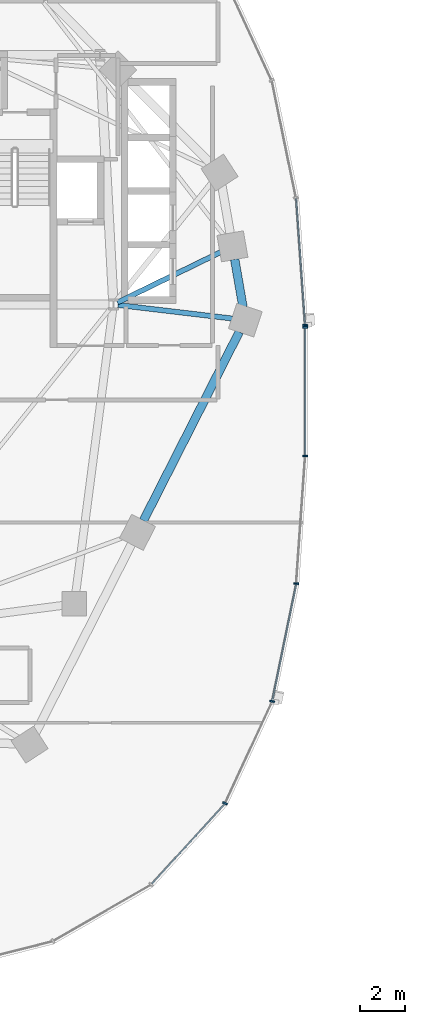
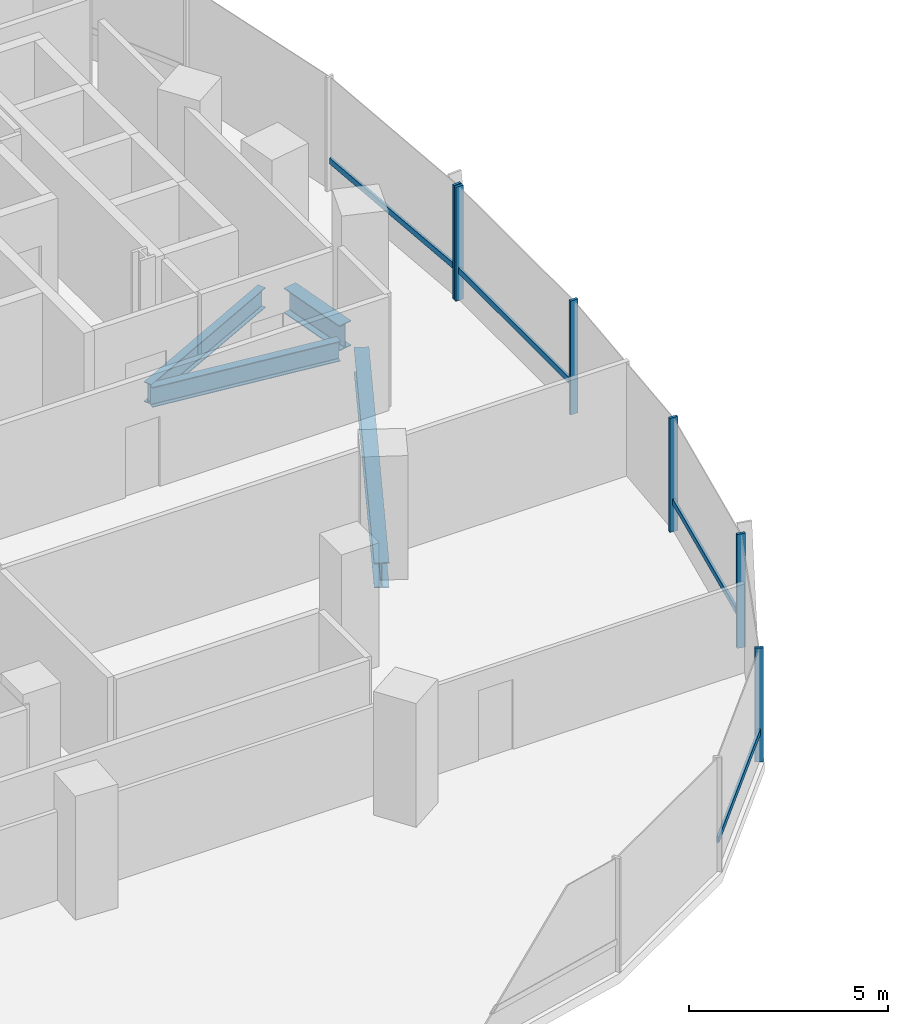
# One storey, part 3 of 21: 10 members, 4 beams, 2 elements without a shape of their own.
"""IFC4 building model written with IfcOpenShell, lengths in metres."""

import ifcopenshell
import ifcopenshell.guid

model = None  # the IFC model being written
_history = None  # IfcOwnerHistory: only IFC2X3 demands one
_inside = {}  # id of a spatial element -> (the spatial element, [elements in it])
_under = {}  # id of a project, library or spatial element -> (it, [spatial elements below it])
_declared = {}  # id of a project -> (the project, [libraries it declares])
_typed = {}  # id of a type object -> (the type object, [elements of that type])
_made_of = {}  # id of a material, layer set ... -> (it, [elements and type objects made of it])


def new_model(schema):
    """Start an empty IFC model of exactly this schema.

    Asked for "IFC4X3", IfcOpenShell would pick the latest addendum, in which some entities
    have other attributes; the version numbers below select the first issue.
    IFC2X3 requires an IfcOwnerHistory on every rooted entity: one is made here for all.
    """
    global model, _history
    if schema == "IFC4X3":
        model = ifcopenshell.file(schema_version=(4, 3, 0, 0))
    else:
        model = ifcopenshell.file(schema=schema)
    _inside.clear()
    _under.clear()
    _declared.clear()
    _typed.clear()
    _made_of.clear()
    _history = None
    if model.schema == "IFC2X3":
        org = make("IfcOrganization", Name="unknown")
        user = make(
            "IfcPersonAndOrganization",
            ThePerson=make("IfcPerson", FamilyName="unknown"),
            TheOrganization=org,
        )
        app = make(
            "IfcApplication",
            ApplicationDeveloper=org,
            Version="unknown",
            ApplicationFullName="unknown",
            ApplicationIdentifier="unknown",
        )
        _history = make(
            "IfcOwnerHistory",
            OwningUser=user,
            OwningApplication=app,
            ChangeAction="ADDED",
            CreationDate=0,
        )
    return model


def make(cls, **values):
    """One entity of the class cls with the attributes given. An attribute that is None is left unset."""
    return model.create_entity(
        cls, **{name: value for name, value in values.items() if value is not None}
    )


def rooted(cls, **values):
    """An entity with a GlobalId (a new one), such as an element, a storey or a relation."""
    return make(cls, GlobalId=ifcopenshell.guid.new(), OwnerHistory=_history, **values)


def si_unit(unit_type, name, prefix=None):
    """IfcSIUnit, for example si_unit("LENGTHUNIT", "METRE", prefix="MILLI")."""
    return make("IfcSIUnit", UnitType=unit_type, Prefix=prefix, Name=name)


def assignment(units):
    """IfcUnitAssignment: the units of a project."""
    return None if units is None else make("IfcUnitAssignment", Units=units)


def point(xyz):
    """IfcCartesianPoint."""
    return None if xyz is None else make("IfcCartesianPoint", Coordinates=xyz)


def direction(xyz):
    """IfcDirection."""
    return None if xyz is None else make("IfcDirection", DirectionRatios=xyz)


def frame(location, z_axis=None, x_axis=None):
    """IfcAxis2Placement3D, a coordinate frame: its origin and axes. An axis left out is left unset."""
    return make(
        "IfcAxis2Placement3D",
        Location=point(location),
        Axis=direction(z_axis),
        RefDirection=direction(x_axis),
    )


def frame_2d(location, x_axis=None):
    """IfcAxis2Placement2D, a coordinate frame in the plane: its origin and x axis."""
    return make(
        "IfcAxis2Placement2D", Location=point(location), RefDirection=direction(x_axis)
    )


def origin():
    """The frame at (0, 0, 0) with its axes left unset."""
    return frame((0.0, 0.0, 0.0))


def origin_2d():
    """The frame at (0, 0) in the plane with its x axis left unset."""
    return frame_2d((0.0, 0.0))


def place(relative_to, where):
    """IfcLocalPlacement: puts the frame where relative to a parent placement (None: the world)."""
    return make(
        "IfcLocalPlacement", PlacementRelTo=relative_to, RelativePlacement=where
    )


def context(
    kind, dimensions, precision=None, world=None, true_north=None, identifier=None
):
    """IfcGeometricRepresentationContext, for example the 3D "Model" context."""
    return make(
        "IfcGeometricRepresentationContext",
        ContextIdentifier=identifier,
        ContextType=kind,
        CoordinateSpaceDimension=dimensions,
        Precision=precision,
        WorldCoordinateSystem=world,
        TrueNorth=true_north,
    )


def subcontext(parent, identifier, kind, view, scale=None):
    """IfcGeometricRepresentationSubContext, for example "Body" below "Model"."""
    return make(
        "IfcGeometricRepresentationSubContext",
        ContextIdentifier=identifier,
        ContextType=kind,
        ParentContext=parent,
        TargetScale=scale,
        TargetView=view,
    )


def project(units=None, contexts=None):
    """IfcProject with its units and contexts."""
    return rooted(
        "IfcProject",
        Name="project",
        RepresentationContexts=contexts,
        UnitsInContext=assignment(units),
    )


def spatial(cls, under=None, at=None, **own):
    """A site, building, storey or space (cls), placed at a placement, below another one or the project."""
    s = rooted(cls, ObjectPlacement=at, **own)
    if under is not None:
        _under.setdefault(under.id(), (under, []))[1].append(s)
    return s


def profile(cls, at=None, kind="AREA", **sizes):
    """A parametric profile (cls). Its sizes go by their IFC names, for example OverallWidth=200.0."""
    return make(cls, ProfileType=kind, Position=at, **sizes)


def rectangle(**sizes):
    """IfcRectangleProfileDef."""
    return profile("IfcRectangleProfileDef", **sizes)


def i_section(**sizes):
    """IfcIShapeProfileDef."""
    return profile("IfcIShapeProfileDef", **sizes)


def extrude(swept, where, along, depth):
    """IfcExtrudedAreaSolid: the profile swept, set in the frame where, extruded along a direction by depth."""
    return make(
        "IfcExtrudedAreaSolid",
        SweptArea=swept,
        Position=where,
        ExtrudedDirection=direction(along),
        Depth=depth,
    )


def shape(context_of_items, identifier, shape_type, items):
    """IfcShapeRepresentation: the items that make up one representation, for example the "Body"."""
    return make(
        "IfcShapeRepresentation",
        ContextOfItems=context_of_items,
        RepresentationIdentifier=identifier,
        RepresentationType=shape_type,
        Items=items,
    )


def material(Name=None, Category=None):
    """IfcMaterial."""
    return make("IfcMaterial", Name=Name, Category=Category)


def material_profile(
    of_material, cross_section, Name=None, Category=None, Priority=None
):
    """IfcMaterialProfile: a cross section and its material."""
    return make(
        "IfcMaterialProfile",
        Name=Name,
        Material=of_material,
        Profile=cross_section,
        Priority=Priority,
        Category=Category,
    )


def profile_set(profiles, Name=None, composite=None):
    """IfcMaterialProfileSet."""
    return make(
        "IfcMaterialProfileSet",
        Name=Name,
        MaterialProfiles=profiles,
        CompositeProfile=composite,
    )


def made_of(thing, what):
    """Note that an element or type object is made of a material, layer set ...; save() writes the relation."""
    if what is not None:
        _made_of.setdefault(what.id(), (what, []))[1].append(thing)
    return thing


def type_object(cls, material=None, **own):
    """A type object (cls), such as IfcWallType, which elements share."""
    return made_of(rooted(cls, **own), material)


def element(
    cls,
    number,
    at=None,
    inside=None,
    cuts=None,
    type_object=None,
    material=None,
    context=None,
    identifier="Body",
    shape_type=None,
    held_by="IfcProductDefinitionShape",
    body=None,
    shapes=None,
    **own,
):
    """One element of the class cls, such as IfcWall. Its Tag is "e" and its number.

    at: its placement. inside: the storey or other place that contains it. cuts: it is an
    opening in that element (IfcRelVoidsElement). A single representation is given by context,
    identifier, shape_type and body (its items); several are given by shapes. held_by: the class
    of the entity that holds the representations. save() writes the other relations.
    """
    e = rooted(cls, Tag="e%d" % number, ObjectPlacement=at, **own)
    if body is not None:
        shapes = [shape(context, identifier, shape_type, body)]
    if shapes is not None:
        e.Representation = make(held_by, Representations=shapes)
    if inside is not None:
        _inside.setdefault(inside.id(), (inside, []))[1].append(e)
    if cuts is not None:
        rooted(
            "IfcRelVoidsElement", RelatingBuildingElement=cuts, RelatedOpeningElement=e
        )
    if type_object is not None:
        _typed.setdefault(type_object.id(), (type_object, []))[1].append(e)
    return made_of(e, material)


def aggregate(whole, parts):
    """IfcRelAggregates: a whole, such as a stair, and the parts it consists of."""
    return rooted("IfcRelAggregates", RelatingObject=whole, RelatedObjects=parts)


def save(model, path):
    """Write the relations noted so far, then the file.

    IfcRelAggregates (storeys below a building ...), IfcRelContainedInSpatialStructure (elements
    in a storey), IfcRelDefinesByType, IfcRelAssociatesMaterial and IfcRelDeclares: one each for
    every whole, place, type object, material and project.
    """
    for whole, parts in _under.values():
        aggregate(whole, parts)
    for where, things in _inside.values():
        rooted(
            "IfcRelContainedInSpatialStructure",
            RelatedElements=things,
            RelatingStructure=where,
        )
    for kind, things in _typed.values():
        rooted("IfcRelDefinesByType", RelatedObjects=things, RelatingType=kind)
    for what, things in _made_of.values():
        rooted("IfcRelAssociatesMaterial", RelatedObjects=things, RelatingMaterial=what)
    for by, libraries in _declared.values():
        rooted("IfcRelDeclares", RelatingContext=by, RelatedDefinitions=libraries)
    model.write(path)


model = new_model("IFC4")

# Units and contexts
model_context = context("Model", 3, precision=1e-05, world=origin(), true_north=direction((0.0, 1.0)))
body_context = subcontext(model_context, "Body", "Model", "MODEL_VIEW")
ifc_project = project(units=[si_unit("LENGTHUNIT", "METRE"), si_unit("AREAUNIT", "SQUARE_METRE"), si_unit("VOLUMEUNIT", "CUBIC_METRE"), si_unit("PLANEANGLEUNIT", "RADIAN"), si_unit("MASSUNIT", "GRAM", prefix="KILO"), si_unit("THERMODYNAMICTEMPERATUREUNIT", "KELVIN"), si_unit("POWERUNIT", "WATT")], contexts=[model_context])

# Site, building, storey
site_placement = place(None, origin())
site = spatial("IfcSite", under=ifc_project, at=site_placement, CompositionType="ELEMENT")
building_placement = place(site_placement, origin())
building = spatial("IfcBuilding", under=site, at=building_placement, Name="Cundina Bronze Exchange", CompositionType="ELEMENT")
storey_placement = place(building_placement, frame((0.0, 0.0, 62.0)))
storey = spatial("IfcBuildingStorey", under=building, at=storey_placement, Name="L15", CompositionType="ELEMENT", Elevation=62.0)

# Beams
ifc_material_1 = material(Name="Steel ASTM A992 Grade 50", Category="steel")
ifc_material_profile_1 = material_profile(ifc_material_1, i_section(OverallWidth=0.22998046875, OverallDepth=0.616943359375, WebThickness=0.01318359375, FlangeThickness=0.022216796875, FilletRadius=0.013916015625, at=origin_2d()), Name="W24X94", Category="steel")
ifc_profile_set_1 = profile_set([ifc_material_profile_1], Name="Steel ASTM A992 Grade 50")
beam_type_1 = type_object("IfcBeamType", Name="BM-FLR-W24B", PredefinedType="BEAM", material=ifc_profile_set_1)
beam_1_placement = place(storey_placement, frame((-21.247314453125, 3.8759765625, -0.6083984375), z_axis=(0.993035236117, -0.117817739878, 0.0), x_axis=(0.117817739878, 0.993035236117, 0.0)))
element("IfcBeam", 1, at=beam_1_placement, inside=storey, type_object=beam_type_1, Name="L15 Leg W Radial Floor Beam 00", PredefinedType="BEAM", context=body_context, shape_type="SweptSolid", body=[
    extrude(i_section(OverallWidth=0.22998046875, OverallDepth=0.616943359375, WebThickness=0.01318359375, FlangeThickness=0.022216796875, FilletRadius=0.013916015625, at=origin_2d()), origin(), (0.0, 0.0, 1.0), 5.1494140625),
])
beam_2_placement = place(storey_placement, frame((-21.2666015625, 3.989501953125, -0.6083984375), z_axis=(0.898610249448, 0.438747785849, 0.0), x_axis=(-0.438747785849, 0.898610249448, 0.0)))
element("IfcBeam", 2, at=beam_2_placement, inside=storey, type_object=beam_type_1, Name="L15 Leg W Radial Floor Beam 01", PredefinedType="BEAM", context=body_context, shape_type="SweptSolid", body=[
    extrude(i_section(OverallWidth=0.22998046875, OverallDepth=0.616943359375, WebThickness=0.01318359375, FlangeThickness=0.022216796875, FilletRadius=0.013916015625, at=origin_2d()), origin(), (0.0, 0.0, 1.0), 5.1337890625),
])
ifc_material_profile_2 = material_profile(ifc_material_1, i_section(OverallWidth=0.381103515625, OverallDepth=0.77294921875, WebThickness=0.0166015625, FlangeThickness=0.027099609375, FilletRadius=0.01904296875, at=origin_2d()), Name="W30X173", Category="steel")
ifc_profile_set_2 = profile_set([ifc_material_profile_2], Name="Steel ASTM A992 Grade 50")
beam_type_2 = type_object("IfcBeamType", Name="BM-RING-W30", PredefinedType="USERDEFINED", material=ifc_profile_set_2)
beam_3_placement = place(storey_placement, frame((-15.65087890625, 3.779296875, -0.6865234375), z_axis=(-0.171734584051, 0.985143254883, 0.0), x_axis=(-0.985143254883, -0.171734584051, 0.0)))
element("IfcBeam", 3, at=beam_3_placement, inside=storey, type_object=beam_type_2, Name="L15 W Perimeter Ring Girder 00", ObjectType="GIRDER", PredefinedType="USERDEFINED", context=body_context, shape_type="SweptSolid", body=[
    extrude(i_section(OverallWidth=0.381103515625, OverallDepth=0.77294921875, WebThickness=0.0166015625, FlangeThickness=0.027099609375, FilletRadius=0.01904296875, at=origin_2d()), origin(), (0.0, 0.0, 1.0), 2.173583984375),
])
beam_4_placement = place(storey_placement, frame((-20.108642578125, -5.775634765625, -0.6865234375), z_axis=(0.452819633606, 0.891602141889, 0.0), x_axis=(-0.891602141889, 0.452819633606, 0.0)))
element("IfcBeam", 4, at=beam_4_placement, inside=storey, type_object=beam_type_2, Name="L15 W Perimeter Ring Girder 13", ObjectType="GIRDER", PredefinedType="USERDEFINED", context=body_context, shape_type="SweptSolid", body=[
    extrude(i_section(OverallWidth=0.381103515625, OverallDepth=0.77294921875, WebThickness=0.0166015625, FlangeThickness=0.027099609375, FilletRadius=0.01904296875, at=origin_2d()), origin(), (0.0, 0.0, 1.0), 9.47900390625),
])

# Curtain wall, member
ifc_material_2 = material(Name="Anodised Bronze Aluminium 6063-T6", Category="aluminium")
curtain_wall_type = type_object("IfcCurtainWallType", Name="CWS-TRD-LOW", PredefinedType="NOTDEFINED", material=ifc_material_2)
curtain_wall_1_placement = place(storey_placement, origin())
curtain_wall_1 = element("IfcCurtainWall", 5, at=curtain_wall_1_placement, inside=storey, type_object=curtain_wall_type, Name="L15 CW-02 Curtain Wall Run CWR-L15-W1", PredefinedType="NOTDEFINED")
ifc_material_profile_3 = material_profile(ifc_material_2, rectangle(XDim=0.074951171875, YDim=0.219970703125, at=origin_2d()), Name="AL75X220", Category="aluminium")
ifc_profile_set_3 = profile_set([ifc_material_profile_3], Name="Anodised Bronze Aluminium 6063-T6")
member_type_1 = type_object("IfcMemberType", Name="CWM-MUL-220", PredefinedType="MULLION", material=ifc_profile_set_3)
member_1_placement = place(storey_placement, frame((-12.87548828125, 2.976318359375, 0.0), z_axis=(0.0, 0.0, 1.0), x_axis=(-0.070278787473, 0.997527389113, 0.0)))
member_1 = element("IfcMember", 6, at=member_1_placement, type_object=member_type_1, Name="CW-02 Mullion 1", PredefinedType="MULLION", context=body_context, shape_type="SweptSolid", body=[
    extrude(rectangle(XDim=0.074951171875, YDim=0.219970703125, at=origin_2d()), origin(), (0.0, 0.0, 1.0), 3.5),
])

# Curtain wall, members
curtain_wall_2_placement = place(storey_placement, origin())
curtain_wall_2 = element("IfcCurtainWall", 7, at=curtain_wall_2_placement, inside=storey, type_object=curtain_wall_type, Name="L15 CW-02 Curtain Wall Run CWR-L15-W4", PredefinedType="NOTDEFINED")
member_2_placement = place(storey_placement, frame((-16.455810546875, -18.423583984375, 0.0), z_axis=(0.0, 0.0, 1.0), x_axis=(0.42087749791, 0.907117485088, 0.0)))
member_2 = element("IfcMember", 8, at=member_2_placement, type_object=member_type_1, Name="CW-02 Mullion 4", PredefinedType="MULLION", context=body_context, shape_type="SweptSolid", body=[
    extrude(rectangle(XDim=0.074951171875, YDim=0.219970703125, at=origin_2d()), origin(), (0.0, 0.0, 1.0), 3.5),
])
member_3_placement = place(storey_placement, frame((-14.348876953125, -13.861328125, 0.0), z_axis=(0.0, 0.0, 1.0), x_axis=(0.201419845156, 0.979505000486, 0.0)))
member_3 = element("IfcMember", 9, at=member_3_placement, type_object=member_type_1, Name="CW-02 Mullion 5", PredefinedType="MULLION", context=body_context, shape_type="SweptSolid", body=[
    extrude(rectangle(XDim=0.074951171875, YDim=0.219970703125, at=origin_2d()), origin(), (0.0, 0.0, 1.0), 3.5),
])
member_4_placement = place(storey_placement, frame((-13.27099609375, -8.591552734375, 0.0), z_axis=(0.0, 0.0, 1.0), x_axis=(0.070278787473, 0.997527389113, 0.0)))
member_4 = element("IfcMember", 10, at=member_4_placement, type_object=member_type_1, Name="CW-02 Mullion 6", PredefinedType="MULLION", context=body_context, shape_type="SweptSolid", body=[
    extrude(rectangle(XDim=0.074951171875, YDim=0.219970703125, at=origin_2d()), origin(), (0.0, 0.0, 1.0), 3.5),
])
member_5_placement = place(storey_placement, frame((-12.8720703125, -2.880615234375, 0.0), z_axis=(0.0, 0.0, 1.0), x_axis=(0.0, 1.0, 0.0)))
member_5 = element("IfcMember", 11, at=member_5_placement, type_object=member_type_1, Name="CW-02 Mullion 7", PredefinedType="MULLION", context=body_context, shape_type="SweptSolid", body=[
    extrude(rectangle(XDim=0.074951171875, YDim=0.219970703125, at=origin_2d()), origin(), (0.0, 0.0, 1.0), 3.5),
])
member_6_placement = place(storey_placement, frame((-12.8720703125, 2.880615234375, 0.0), z_axis=(0.0, 0.0, 1.0), x_axis=(0.0, 1.0, 0.0)))
member_6 = element("IfcMember", 12, at=member_6_placement, type_object=member_type_1, Name="CW-02 End Mullion", PredefinedType="MULLION", context=body_context, shape_type="SweptSolid", body=[
    extrude(rectangle(XDim=0.074951171875, YDim=0.219970703125, at=origin_2d()), origin(), (0.0, 0.0, 1.0), 3.5),
])

# Member
ifc_material_profile_4 = material_profile(ifc_material_2, rectangle(XDim=0.070068359375, YDim=0.179931640625, at=origin_2d()), Name="AL70X180", Category="aluminium")
ifc_profile_set_4 = profile_set([ifc_material_profile_4], Name="Anodised Bronze Aluminium 6063-T6")
member_type_2 = type_object("IfcMemberType", Name="CWM-TRN-180", PredefinedType="USERDEFINED", material=ifc_profile_set_4)
member_7_placement = place(storey_placement, frame((-12.87841796875, 3.017333984375, 0.919921875), z_axis=(-0.070260714471, 0.997528662246, 0.0), x_axis=(-0.997528662246, -0.070260714471, 0.0)))
member_7 = element("IfcMember", 13, at=member_7_placement, type_object=member_type_2, Name="CW-02 Spandrel Transom 1", ObjectType="TRANSOM", PredefinedType="USERDEFINED", context=body_context, shape_type="SweptSolid", body=[
    extrude(rectangle(XDim=0.070068359375, YDim=0.179931640625, at=origin_2d()), origin(), (0.0, 0.0, 1.0), 5.629150390625),
])

aggregate(curtain_wall_1, [member_1, member_7])

member_8_placement = place(storey_placement, frame((-19.73291015625, -22.027099609375, 0.919921875), z_axis=(0.674302794847, 0.738454968743, 0.0), x_axis=(-0.738454968743, 0.674302794847, 0.0)))
member_8 = element("IfcMember", 14, at=member_8_placement, type_object=member_type_2, Name="CW-02 Spandrel Transom 3", ObjectType="TRANSOM", PredefinedType="USERDEFINED", context=body_context, shape_type="SweptSolid", body=[
    extrude(rectangle(XDim=0.070068359375, YDim=0.179931640625, at=origin_2d()), origin(), (0.0, 0.0, 1.0), 4.848388671875),
])

member_9_placement = place(storey_placement, frame((-14.340576171875, -13.821044921875, 0.919921875), z_axis=(0.201427712708, 0.979503382615, 0.0), x_axis=(-0.979503382615, 0.201427712708, 0.0)))
member_9 = element("IfcMember", 15, at=member_9_placement, type_object=member_type_2, Name="CW-02 Spandrel Transom 5", ObjectType="TRANSOM", PredefinedType="USERDEFINED", context=body_context, shape_type="SweptSolid", body=[
    extrude(rectangle(XDim=0.070068359375, YDim=0.179931640625, at=origin_2d()), origin(), (0.0, 0.0, 1.0), 5.291748046875),
])

member_10_placement = place(storey_placement, frame((-12.8720703125, -2.839111328125, 0.919921875), z_axis=(0.0, 1.0, 0.0), x_axis=(-1.0, 0.0, 0.0)))
member_10 = element("IfcMember", 16, at=member_10_placement, type_object=member_type_2, Name="CW-02 Spandrel Transom 7", ObjectType="TRANSOM", PredefinedType="USERDEFINED", context=body_context, shape_type="SweptSolid", body=[
    extrude(rectangle(XDim=0.070068359375, YDim=0.179931640625, at=origin_2d()), origin(), (0.0, 0.0, 1.0), 5.67822265625),
])

aggregate(curtain_wall_2, [member_8, member_2, member_3, member_9, member_4, member_5, member_6, member_10])

save(model, "model.ifc")
